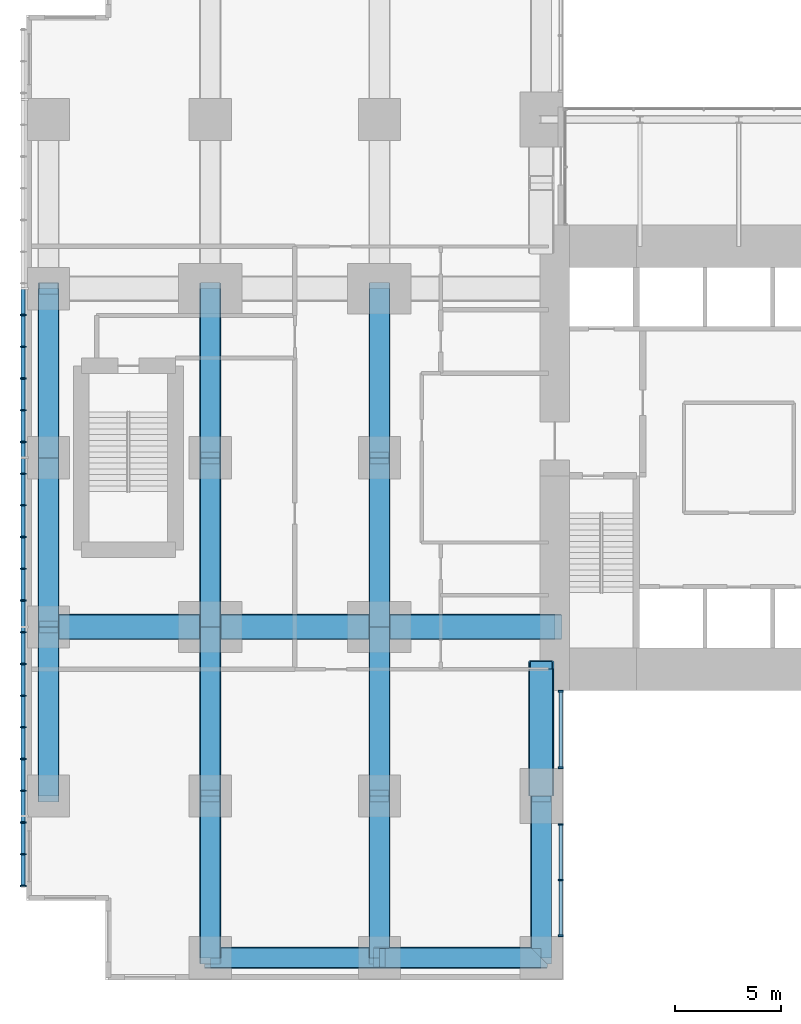
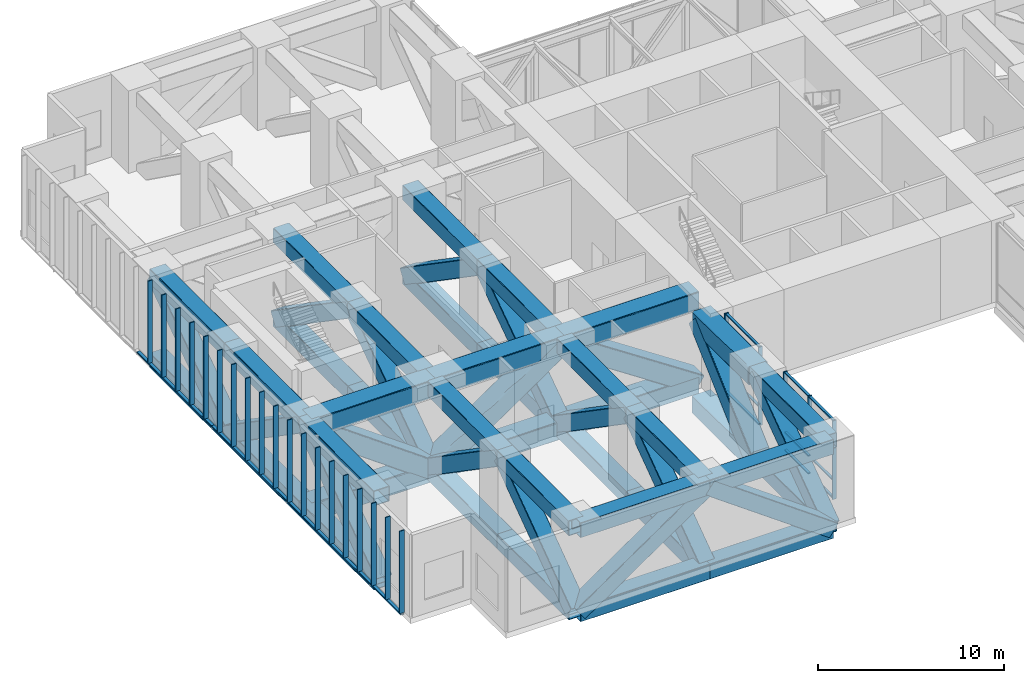
# One storey, part 2 of 17: 90 members, 2 elements without a shape of their own.
"""IFC4 building model written with IfcOpenShell, lengths in metres."""

from ifc_helpers import new_model, si_unit, direction, frame, origin, origin_2d, place, context, subcontext, project, spatial, rectangle, hollow_rectangle, extrude, material, layer, layer_set, material_profile, profile_set, type_object, element, aggregate, save


model = new_model("IFC4")

# Units and contexts
model_context = context("Model", 3, precision=1e-05, world=origin(), true_north=direction((0.0, 1.0)))
body_context = subcontext(model_context, "Body", "Model", "MODEL_VIEW")
ifc_project = project(units=[si_unit("LENGTHUNIT", "METRE"), si_unit("AREAUNIT", "SQUARE_METRE"), si_unit("VOLUMEUNIT", "CUBIC_METRE"), si_unit("PLANEANGLEUNIT", "RADIAN"), si_unit("MASSUNIT", "GRAM", prefix="KILO")], contexts=[model_context])

# Site, building, storey
site_placement = place(None, origin())
site = spatial("IfcSite", under=ifc_project, at=site_placement, CompositionType="ELEMENT")
building_placement = place(site_placement, origin())
building = spatial("IfcBuilding", under=site, at=building_placement, Name="Cleftline Residences", CompositionType="ELEMENT")
storey_placement = place(building_placement, frame((0.0, 0.0, 90.800048828125)))
storey = spatial("IfcBuildingStorey", under=building, at=storey_placement, Name="L23", CompositionType="ELEMENT", Elevation=90.800048828125)

# Members
ifc_material_1 = material(Name="Steel S355, hot-dip galvanised", Category="steel")
ifc_material_profile_1 = material_profile(ifc_material_1, hollow_rectangle(XDim=0.10009765625, YDim=0.199951171875, WallThickness=0.008056640625, InnerFilletRadius=0.008056640625, OuterFilletRadius=0.011962890625, at=origin_2d()))
ifc_profile_set_1 = profile_set([ifc_material_profile_1], Name="Steel S355, hot-dip galvanised")
member_type_1 = type_object("IfcMemberType", Name="BAGUETTE CARRIER RHS 200X100X8", PredefinedType="USERDEFINED", material=ifc_profile_set_1)
for number, where, z_axis, x_axis, name in (
    (1, (-0.85009765625, 32.0, -0.050048828125), (0.0, -1.0, 0.0), (0.0, 0.0, 1.0), "Baguette carrier"),
    (2, (-0.85009765625, 24.0, -0.050048828125), (0.0, -1.0, 0.0), (0.0, 0.0, 1.0), "Baguette carrier"),
):
    element("IfcMember", number, at=place(storey_placement, frame(where, z_axis=z_axis, x_axis=x_axis)), inside=storey, type_object=member_type_1, Name=name, ObjectType="BAGUETTE CARRIER", PredefinedType="USERDEFINED", context=body_context, shape_type="SweptSolid", body=[
        extrude(hollow_rectangle(XDim=0.10009765625, YDim=0.199951171875, WallThickness=0.008056640625, InnerFilletRadius=0.008056640625, OuterFilletRadius=0.011962890625, at=origin_2d()), origin(), (0.0, 0.0, 1.0), 8.0),
    ])
member_1_placement = place(storey_placement, frame((-0.85009765625, 16.0, -0.050048828125), z_axis=(0.0, -1.0, 0.0), x_axis=(0.0, 0.0, 1.0)))
element("IfcMember", 3, at=member_1_placement, inside=storey, type_object=member_type_1, Name="Baguette carrier", ObjectType="BAGUETTE CARRIER", PredefinedType="USERDEFINED", context=body_context, shape_type="SweptSolid", body=[
    extrude(hollow_rectangle(XDim=0.10009765625, YDim=0.199951171875, WallThickness=0.008056640625, InnerFilletRadius=0.008056640625, OuterFilletRadius=0.011962890625, at=origin_2d()), origin(), (0.0, 0.0, 1.0), 12.300048828125),
])
ifc_material_2 = material(Name="Steel S355", Category="steel")
ifc_material_profile_2 = material_profile(ifc_material_2, hollow_rectangle(XDim=1.0, YDim=1.0, WallThickness=0.0400390625, InnerFilletRadius=0.0400390625, OuterFilletRadius=0.06005859375, at=origin_2d()))
ifc_profile_set_2 = profile_set([ifc_material_profile_2], Name="Steel S355")
member_type_2 = type_object("IfcMemberType", Name="BRACE BOX 1000X1000X40", PredefinedType="BRACE", material=ifc_profile_set_2)
for number, where, z_axis, x_axis, name in (
    (4, (0.35009765625, 8.0, -0.85009765625), (0.0, 0.824041924199, 0.566528822887), (0.0, -0.566528822887, 0.824041924199), "Belt truss diagonal"),
    (5, (0.35009765625, 16.0, 4.64990234375), (0.0, 0.824041924199, -0.566528822887), (0.0, 0.566528822887, 0.824041924199), "Belt truss diagonal"),
    (6, (0.35009765625, 24.0, -0.85009765625), (0.0, 0.824041924199, 0.566528822887), (0.0, -0.566528822887, 0.824041924199), "Belt truss diagonal"),
):
    element("IfcMember", number, at=place(storey_placement, frame(where, z_axis=z_axis, x_axis=x_axis)), inside=storey, type_object=member_type_2, Name=name, PredefinedType="BRACE", context=body_context, shape_type="SweptSolid", body=[
        extrude(hollow_rectangle(XDim=1.0, YDim=1.0, WallThickness=0.0400390625, InnerFilletRadius=0.0400390625, OuterFilletRadius=0.06005859375, at=origin_2d()), origin(), (0.0, 0.0, 1.0), 9.708251953125),
    ])
member_2_placement = place(storey_placement, frame((8.0, 0.35009765625, -0.85009765625), z_axis=(0.0, 0.811933238445, 0.583750303048), x_axis=(0.0, -0.583750303048, 0.811933238445)))
element("IfcMember", 7, at=member_2_placement, inside=storey, type_object=member_type_2, Name="Belt truss diagonal", PredefinedType="BRACE", context=body_context, shape_type="SweptSolid", body=[
    extrude(hollow_rectangle(XDim=1.0, YDim=1.0, WallThickness=0.0400390625, InnerFilletRadius=0.0400390625, OuterFilletRadius=0.06005859375, at=origin_2d()), origin(), (0.0, 0.0, 1.0), 9.421875),
])
for number, where, z_axis, x_axis, name in (
    (8, (8.0, 8.0, 4.64990234375), (0.0, 0.824041924199, -0.566528822887), (0.0, 0.566528822887, 0.824041924199), "Belt truss diagonal"),
    (9, (8.0, 16.0, -0.85009765625), (0.0, 0.824041924199, 0.566528822887), (0.0, -0.566528822887, 0.824041924199), "Belt truss diagonal"),
    (10, (8.0, 24.0, 4.64990234375), (0.0, 0.824041924199, -0.566528822887), (0.0, 0.566528822887, 0.824041924199), "Belt truss diagonal"),
):
    element("IfcMember", number, at=place(storey_placement, frame(where, z_axis=z_axis, x_axis=x_axis)), inside=storey, type_object=member_type_2, Name=name, PredefinedType="BRACE", context=body_context, shape_type="SweptSolid", body=[
        extrude(hollow_rectangle(XDim=1.0, YDim=1.0, WallThickness=0.0400390625, InnerFilletRadius=0.0400390625, OuterFilletRadius=0.06005859375, at=origin_2d()), origin(), (0.0, 0.0, 1.0), 9.708251953125),
    ])
member_3_placement = place(storey_placement, frame((16.0, 0.35009765625, -0.85009765625), z_axis=(0.0, 0.811933238445, 0.583750303048), x_axis=(0.0, -0.583750303048, 0.811933238445)))
element("IfcMember", 11, at=member_3_placement, inside=storey, type_object=member_type_2, Name="Belt truss diagonal", PredefinedType="BRACE", context=body_context, shape_type="SweptSolid", body=[
    extrude(hollow_rectangle(XDim=1.0, YDim=1.0, WallThickness=0.0400390625, InnerFilletRadius=0.0400390625, OuterFilletRadius=0.06005859375, at=origin_2d()), origin(), (0.0, 0.0, 1.0), 9.421875),
])
for number, where, z_axis, x_axis, name in (
    (12, (16.0, 8.0, 4.64990234375), (0.0, 0.824041924199, -0.566528822887), (0.0, 0.566528822887, 0.824041924199), "Belt truss diagonal"),
    (13, (16.0, 16.0, -0.85009765625), (0.0, 0.824041924199, 0.566528822887), (0.0, -0.566528822887, 0.824041924199), "Belt truss diagonal"),
    (14, (16.0, 24.0, 4.64990234375), (0.0, 0.824041924199, -0.566528822887), (0.0, 0.566528822887, 0.824041924199), "Belt truss diagonal"),
):
    element("IfcMember", number, at=place(storey_placement, frame(where, z_axis=z_axis, x_axis=x_axis)), inside=storey, type_object=member_type_2, Name=name, PredefinedType="BRACE", context=body_context, shape_type="SweptSolid", body=[
        extrude(hollow_rectangle(XDim=1.0, YDim=1.0, WallThickness=0.0400390625, InnerFilletRadius=0.0400390625, OuterFilletRadius=0.06005859375, at=origin_2d()), origin(), (0.0, 0.0, 1.0), 9.708251953125),
    ])
member_4_placement = place(storey_placement, frame((23.64990234375, 0.35009765625, -0.85009765625), z_axis=(0.0, 0.811933238445, 0.583750303048), x_axis=(0.0, -0.583750303048, 0.811933238445)))
element("IfcMember", 15, at=member_4_placement, inside=storey, type_object=member_type_2, Name="Belt truss diagonal", PredefinedType="BRACE", context=body_context, shape_type="SweptSolid", body=[
    extrude(hollow_rectangle(XDim=1.0, YDim=1.0, WallThickness=0.0400390625, InnerFilletRadius=0.0400390625, OuterFilletRadius=0.06005859375, at=origin_2d()), origin(), (0.0, 0.0, 1.0), 9.421875),
])
member_5_placement = place(storey_placement, frame((8.0, 0.35009765625, -0.85009765625), z_axis=(0.824041924199, 0.0, 0.566528822887), x_axis=(-0.566528822887, 0.0, 0.824041924199)))
element("IfcMember", 16, at=member_5_placement, inside=storey, type_object=member_type_2, Name="Belt truss diagonal", PredefinedType="BRACE", context=body_context, shape_type="SweptSolid", body=[
    extrude(hollow_rectangle(XDim=1.0, YDim=1.0, WallThickness=0.0400390625, InnerFilletRadius=0.0400390625, OuterFilletRadius=0.06005859375, at=origin_2d()), origin(), (0.0, 0.0, 1.0), 9.708251953125),
])
member_6_placement = place(storey_placement, frame((16.0, 0.35009765625, 4.64990234375), z_axis=(0.811933238445, 0.0, -0.583750303048), x_axis=(0.583750303048, 0.0, 0.811933238445)))
element("IfcMember", 17, at=member_6_placement, inside=storey, type_object=member_type_2, Name="Belt truss diagonal", PredefinedType="BRACE", context=body_context, shape_type="SweptSolid", body=[
    extrude(hollow_rectangle(XDim=1.0, YDim=1.0, WallThickness=0.0400390625, InnerFilletRadius=0.0400390625, OuterFilletRadius=0.06005859375, at=origin_2d()), origin(), (0.0, 0.0, 1.0), 9.421875),
])
ifc_material_3 = material(Name="Steel S355", Category="steel")
ifc_material_profile_3 = material_profile(ifc_material_3, hollow_rectangle(XDim=1.199951171875, YDim=1.199951171875, WallThickness=0.06005859375, InnerFilletRadius=0.06005859375, OuterFilletRadius=0.090087890625, at=origin_2d()))
ifc_profile_set_3 = profile_set([ifc_material_profile_3], Name="Steel S355")
member_type_3 = type_object("IfcMemberType", Name="BRACE BOX 1200X1200X60", PredefinedType="BRACE", material=ifc_profile_set_3)
member_7_placement = place(storey_placement, frame((24.300048828125, 16.0, -0.949951171875), z_axis=(-0.833593682581, 0.0, 0.552378106338), x_axis=(0.552378106338, 0.0, 0.833593682581)))
element("IfcMember", 18, at=member_7_placement, inside=storey, type_object=member_type_3, Name="Outrigger truss diagonal", PredefinedType="BRACE", context=body_context, shape_type="SweptSolid", body=[
    extrude(hollow_rectangle(XDim=1.199951171875, YDim=1.199951171875, WallThickness=0.06005859375, InnerFilletRadius=0.06005859375, OuterFilletRadius=0.090087890625, at=origin_2d()), origin(), (0.0, 0.0, 1.0), 9.95703125),
])
member_8_placement = place(storey_placement, frame((16.0, 16.0, 4.550048828125), z_axis=(-0.824041924199, 0.0, -0.566528822887), x_axis=(-0.566528822887, 0.0, 0.824041924199)))
element("IfcMember", 19, at=member_8_placement, inside=storey, type_object=member_type_3, Name="Outrigger truss diagonal", PredefinedType="BRACE", context=body_context, shape_type="SweptSolid", body=[
    extrude(hollow_rectangle(XDim=1.199951171875, YDim=1.199951171875, WallThickness=0.06005859375, InnerFilletRadius=0.06005859375, OuterFilletRadius=0.090087890625, at=origin_2d()), origin(), (0.0, 0.0, 1.0), 9.708251953125),
])
member_9_placement = place(storey_placement, frame((8.0, 16.0, -0.949951171875), z_axis=(-0.811933238445, 0.0, 0.583750303048), x_axis=(0.583750303048, 0.0, 0.811933238445)))
element("IfcMember", 20, at=member_9_placement, inside=storey, type_object=member_type_3, Name="Outrigger truss diagonal", PredefinedType="BRACE", context=body_context, shape_type="SweptSolid", body=[
    extrude(hollow_rectangle(XDim=1.199951171875, YDim=1.199951171875, WallThickness=0.06005859375, InnerFilletRadius=0.06005859375, OuterFilletRadius=0.090087890625, at=origin_2d()), origin(), (0.0, 0.0, 1.0), 9.421875),
])
member_10_placement = place(storey_placement, frame((23.64990234375, 8.0, -0.949951171875), z_axis=(0.0, 0.737154140201, 0.675724628517), x_axis=(0.0, -0.675724628517, 0.737154140201)))
element("IfcMember", 21, at=member_10_placement, inside=storey, type_object=member_type_3, Name="Outrigger truss diagonal", PredefinedType="BRACE", context=body_context, shape_type="SweptSolid", body=[
    extrude(hollow_rectangle(XDim=1.199951171875, YDim=1.199951171875, WallThickness=0.06005859375, InnerFilletRadius=0.06005859375, OuterFilletRadius=0.090087890625, at=origin_2d()), origin(), (0.0, 0.0, 1.0), 8.139404296875),
])
ifc_material_4 = material(Name="Steel S355", Category="steel")
ifc_material_profile_4 = material_profile(ifc_material_4, hollow_rectangle(XDim=1.0, YDim=1.0, WallThickness=0.0400390625, InnerFilletRadius=0.0400390625, OuterFilletRadius=0.06005859375, at=origin_2d()))
ifc_profile_set_4 = profile_set([ifc_material_profile_4], Name="Steel S355")
member_type_4 = type_object("IfcMemberType", Name="CHORD BOX 1000X1000X40", PredefinedType="CHORD", material=ifc_profile_set_4)
for number, where, z_axis, x_axis, name in (
    (22, (0.35009765625, 8.0, -0.85009765625), (0.0, 1.0, 0.0), (-1.0, 0.0, 0.0), "Belt truss bottom chord"),
    (23, (0.35009765625, 8.0, 4.64990234375), (0.0, 1.0, 0.0), (-1.0, 0.0, 0.0), "Belt truss top chord"),
    (24, (0.35009765625, 16.0, -0.85009765625), (0.0, 1.0, 0.0), (-1.0, 0.0, 0.0), "Belt truss bottom chord"),
    (25, (0.35009765625, 16.0, 4.64990234375), (0.0, 1.0, 0.0), (-1.0, 0.0, 0.0), "Belt truss top chord"),
    (26, (0.35009765625, 24.0, -0.85009765625), (0.0, 1.0, 0.0), (-1.0, 0.0, 0.0), "Belt truss bottom chord"),
    (27, (0.35009765625, 24.0, 4.64990234375), (0.0, 1.0, 0.0), (-1.0, 0.0, 0.0), "Belt truss top chord"),
):
    element("IfcMember", number, at=place(storey_placement, frame(where, z_axis=z_axis, x_axis=x_axis)), inside=storey, type_object=member_type_4, Name=name, PredefinedType="CHORD", context=body_context, shape_type="SweptSolid", body=[
        extrude(hollow_rectangle(XDim=1.0, YDim=1.0, WallThickness=0.0400390625, InnerFilletRadius=0.0400390625, OuterFilletRadius=0.06005859375, at=origin_2d()), origin(), (0.0, 0.0, 1.0), 8.0),
    ])
for number, where, z_axis, x_axis, name in (
    (28, (8.0, 0.35009765625, -0.85009765625), (0.0, 1.0, 0.0), (-1.0, 0.0, 0.0), "Belt truss bottom chord"),
    (29, (8.0, 0.35009765625, 4.64990234375), (0.0, 1.0, 0.0), (-1.0, 0.0, 0.0), "Belt truss top chord"),
):
    element("IfcMember", number, at=place(storey_placement, frame(where, z_axis=z_axis, x_axis=x_axis)), inside=storey, type_object=member_type_4, Name=name, PredefinedType="CHORD", context=body_context, shape_type="SweptSolid", body=[
        extrude(hollow_rectangle(XDim=1.0, YDim=1.0, WallThickness=0.0400390625, InnerFilletRadius=0.0400390625, OuterFilletRadius=0.06005859375, at=origin_2d()), origin(), (0.0, 0.0, 1.0), 7.64990234375),
    ])
for number, where, z_axis, x_axis, name in (
    (30, (8.0, 8.0, -0.85009765625), (0.0, 1.0, 0.0), (-1.0, 0.0, 0.0), "Belt truss bottom chord"),
    (31, (8.0, 8.0, 4.64990234375), (0.0, 1.0, 0.0), (-1.0, 0.0, 0.0), "Belt truss top chord"),
    (32, (8.0, 16.0, -0.85009765625), (0.0, 1.0, 0.0), (-1.0, 0.0, 0.0), "Belt truss bottom chord"),
    (33, (8.0, 16.0, 4.64990234375), (0.0, 1.0, 0.0), (-1.0, 0.0, 0.0), "Belt truss top chord"),
    (34, (8.0, 24.0, -0.85009765625), (0.0, 1.0, 0.0), (-1.0, 0.0, 0.0), "Belt truss bottom chord"),
    (35, (8.0, 24.0, 4.64990234375), (0.0, 1.0, 0.0), (-1.0, 0.0, 0.0), "Belt truss top chord"),
):
    element("IfcMember", number, at=place(storey_placement, frame(where, z_axis=z_axis, x_axis=x_axis)), inside=storey, type_object=member_type_4, Name=name, PredefinedType="CHORD", context=body_context, shape_type="SweptSolid", body=[
        extrude(hollow_rectangle(XDim=1.0, YDim=1.0, WallThickness=0.0400390625, InnerFilletRadius=0.0400390625, OuterFilletRadius=0.06005859375, at=origin_2d()), origin(), (0.0, 0.0, 1.0), 8.0),
    ])
for number, where, z_axis, x_axis, name in (
    (36, (16.0, 0.35009765625, -0.85009765625), (0.0, 1.0, 0.0), (-1.0, 0.0, 0.0), "Belt truss bottom chord"),
    (37, (16.0, 0.35009765625, 4.64990234375), (0.0, 1.0, 0.0), (-1.0, 0.0, 0.0), "Belt truss top chord"),
):
    element("IfcMember", number, at=place(storey_placement, frame(where, z_axis=z_axis, x_axis=x_axis)), inside=storey, type_object=member_type_4, Name=name, PredefinedType="CHORD", context=body_context, shape_type="SweptSolid", body=[
        extrude(hollow_rectangle(XDim=1.0, YDim=1.0, WallThickness=0.0400390625, InnerFilletRadius=0.0400390625, OuterFilletRadius=0.06005859375, at=origin_2d()), origin(), (0.0, 0.0, 1.0), 7.64990234375),
    ])
for number, where, z_axis, x_axis, name in (
    (38, (16.0, 8.0, -0.85009765625), (0.0, 1.0, 0.0), (-1.0, 0.0, 0.0), "Belt truss bottom chord"),
    (39, (16.0, 8.0, 4.64990234375), (0.0, 1.0, 0.0), (-1.0, 0.0, 0.0), "Belt truss top chord"),
    (40, (16.0, 16.0, -0.85009765625), (0.0, 1.0, 0.0), (-1.0, 0.0, 0.0), "Belt truss bottom chord"),
    (41, (16.0, 16.0, 4.64990234375), (0.0, 1.0, 0.0), (-1.0, 0.0, 0.0), "Belt truss top chord"),
    (42, (16.0, 24.0, -0.85009765625), (0.0, 1.0, 0.0), (-1.0, 0.0, 0.0), "Belt truss bottom chord"),
    (43, (16.0, 24.0, 4.64990234375), (0.0, 1.0, 0.0), (-1.0, 0.0, 0.0), "Belt truss top chord"),
):
    element("IfcMember", number, at=place(storey_placement, frame(where, z_axis=z_axis, x_axis=x_axis)), inside=storey, type_object=member_type_4, Name=name, PredefinedType="CHORD", context=body_context, shape_type="SweptSolid", body=[
        extrude(hollow_rectangle(XDim=1.0, YDim=1.0, WallThickness=0.0400390625, InnerFilletRadius=0.0400390625, OuterFilletRadius=0.06005859375, at=origin_2d()), origin(), (0.0, 0.0, 1.0), 8.0),
    ])
for number, where, z_axis, x_axis, name in (
    (44, (23.64990234375, 0.35009765625, -0.85009765625), (0.0, 1.0, 0.0), (-1.0, 0.0, 0.0), "Belt truss bottom chord"),
    (45, (23.64990234375, 0.35009765625, 4.64990234375), (0.0, 1.0, 0.0), (-1.0, 0.0, 0.0), "Belt truss top chord"),
):
    element("IfcMember", number, at=place(storey_placement, frame(where, z_axis=z_axis, x_axis=x_axis)), inside=storey, type_object=member_type_4, Name=name, PredefinedType="CHORD", context=body_context, shape_type="SweptSolid", body=[
        extrude(hollow_rectangle(XDim=1.0, YDim=1.0, WallThickness=0.0400390625, InnerFilletRadius=0.0400390625, OuterFilletRadius=0.06005859375, at=origin_2d()), origin(), (0.0, 0.0, 1.0), 7.64990234375),
    ])
for number, where, z_axis, x_axis, name in (
    (46, (8.0, 0.35009765625, -0.85009765625), (1.0, 0.0, 0.0), (0.0, 1.0, 0.0), "Belt truss bottom chord"),
    (47, (8.0, 0.35009765625, 4.64990234375), (1.0, 0.0, 0.0), (0.0, 1.0, 0.0), "Belt truss top chord"),
):
    element("IfcMember", number, at=place(storey_placement, frame(where, z_axis=z_axis, x_axis=x_axis)), inside=storey, type_object=member_type_4, Name=name, PredefinedType="CHORD", context=body_context, shape_type="SweptSolid", body=[
        extrude(hollow_rectangle(XDim=1.0, YDim=1.0, WallThickness=0.0400390625, InnerFilletRadius=0.0400390625, OuterFilletRadius=0.06005859375, at=origin_2d()), origin(), (0.0, 0.0, 1.0), 8.0),
    ])
for number, where, z_axis, x_axis, name in (
    (48, (16.0, 0.35009765625, -0.85009765625), (1.0, 0.0, 0.0), (0.0, 1.0, 0.0), "Belt truss bottom chord"),
    (49, (16.0, 0.35009765625, 4.64990234375), (1.0, 0.0, 0.0), (0.0, 1.0, 0.0), "Belt truss top chord"),
):
    element("IfcMember", number, at=place(storey_placement, frame(where, z_axis=z_axis, x_axis=x_axis)), inside=storey, type_object=member_type_4, Name=name, PredefinedType="CHORD", context=body_context, shape_type="SweptSolid", body=[
        extrude(hollow_rectangle(XDim=1.0, YDim=1.0, WallThickness=0.0400390625, InnerFilletRadius=0.0400390625, OuterFilletRadius=0.06005859375, at=origin_2d()), origin(), (0.0, 0.0, 1.0), 7.64990234375),
    ])
ifc_material_5 = material(Name="Steel S355", Category="steel")
ifc_material_profile_5 = material_profile(ifc_material_5, hollow_rectangle(XDim=1.199951171875, YDim=1.199951171875, WallThickness=0.06005859375, InnerFilletRadius=0.06005859375, OuterFilletRadius=0.090087890625, at=origin_2d()))
ifc_profile_set_5 = profile_set([ifc_material_profile_5], Name="Steel S355")
member_type_5 = type_object("IfcMemberType", Name="CHORD BOX 1200X1200X60", PredefinedType="CHORD", material=ifc_profile_set_5)
for number, where, z_axis, x_axis, name in (
    (50, (24.300048828125, 16.0, -0.949951171875), (-1.0, 0.0, 0.0), (0.0, -1.0, 0.0), "Outrigger truss bottom chord"),
    (51, (24.300048828125, 16.0, 4.550048828125), (-1.0, 0.0, 0.0), (0.0, -1.0, 0.0), "Outrigger truss top chord"),
):
    element("IfcMember", number, at=place(storey_placement, frame(where, z_axis=z_axis, x_axis=x_axis)), inside=storey, type_object=member_type_5, Name=name, PredefinedType="CHORD", context=body_context, shape_type="SweptSolid", body=[
        extrude(hollow_rectangle(XDim=1.199951171875, YDim=1.199951171875, WallThickness=0.06005859375, InnerFilletRadius=0.06005859375, OuterFilletRadius=0.090087890625, at=origin_2d()), origin(), (0.0, 0.0, 1.0), 8.300048828125),
    ])
for number, where, z_axis, x_axis, name in (
    (52, (16.0, 16.0, -0.949951171875), (-1.0, 0.0, 0.0), (0.0, -1.0, 0.0), "Outrigger truss bottom chord"),
    (53, (16.0, 16.0, 4.550048828125), (-1.0, 0.0, 0.0), (0.0, -1.0, 0.0), "Outrigger truss top chord"),
):
    element("IfcMember", number, at=place(storey_placement, frame(where, z_axis=z_axis, x_axis=x_axis)), inside=storey, type_object=member_type_5, Name=name, PredefinedType="CHORD", context=body_context, shape_type="SweptSolid", body=[
        extrude(hollow_rectangle(XDim=1.199951171875, YDim=1.199951171875, WallThickness=0.06005859375, InnerFilletRadius=0.06005859375, OuterFilletRadius=0.090087890625, at=origin_2d()), origin(), (0.0, 0.0, 1.0), 8.0),
    ])
for number, where, z_axis, x_axis, name in (
    (54, (8.0, 16.0, -0.949951171875), (-1.0, 0.0, 0.0), (0.0, -1.0, 0.0), "Outrigger truss bottom chord"),
    (55, (8.0, 16.0, 4.550048828125), (-1.0, 0.0, 0.0), (0.0, -1.0, 0.0), "Outrigger truss top chord"),
):
    element("IfcMember", number, at=place(storey_placement, frame(where, z_axis=z_axis, x_axis=x_axis)), inside=storey, type_object=member_type_5, Name=name, PredefinedType="CHORD", context=body_context, shape_type="SweptSolid", body=[
        extrude(hollow_rectangle(XDim=1.199951171875, YDim=1.199951171875, WallThickness=0.06005859375, InnerFilletRadius=0.06005859375, OuterFilletRadius=0.090087890625, at=origin_2d()), origin(), (0.0, 0.0, 1.0), 7.64990234375),
    ])
for number, where, z_axis, x_axis, name in (
    (56, (23.64990234375, 8.0, -0.949951171875), (0.0, 1.0, 0.0), (-1.0, 0.0, 0.0), "Outrigger truss bottom chord"),
    (57, (23.64990234375, 8.0, 4.550048828125), (0.0, 1.0, 0.0), (-1.0, 0.0, 0.0), "Outrigger truss top chord"),
):
    element("IfcMember", number, at=place(storey_placement, frame(where, z_axis=z_axis, x_axis=x_axis)), inside=storey, type_object=member_type_5, Name=name, PredefinedType="CHORD", context=body_context, shape_type="SweptSolid", body=[
        extrude(hollow_rectangle(XDim=1.199951171875, YDim=1.199951171875, WallThickness=0.06005859375, InnerFilletRadius=0.06005859375, OuterFilletRadius=0.090087890625, at=origin_2d()), origin(), (0.0, 0.0, 1.0), 6.0),
    ])

# Curtain wall, members
ifc_material_6 = material(Name="Aluminium framed louvre screen", Category="aluminium")
ifc_layer = layer(ifc_material_6, 0.25)
ifc_layer_set = layer_set([ifc_layer], Name="CW6 REFUGE LOUVRE SCREEN")
curtain_wall_type = type_object("IfcCurtainWallType", Name="CW6 REFUGE LOUVRE SCREEN", PredefinedType="NOTDEFINED", material=ifc_layer_set)
curtain_wall_1_placement = place(storey_placement, origin())
curtain_wall_1 = element("IfcCurtainWall", 58, at=curtain_wall_1_placement, inside=storey, type_object=curtain_wall_type, Name="Louvre screen CW6", PredefinedType="NOTDEFINED")
ifc_material_7 = material(Name="Aluminium louvre mullion", Category="aluminium")
ifc_material_profile_6 = material_profile(ifc_material_7, rectangle(XDim=0.25, YDim=0.080078125, at=origin_2d()))
ifc_profile_set_6 = profile_set([ifc_material_profile_6], Name="Aluminium louvre mullion")
member_type_6 = type_object("IfcMemberType", Name="CW6 LOUVRE MULLION", PredefinedType="MULLION", material=ifc_profile_set_6)
member_11_placement = place(storey_placement, frame((24.574951171875, 1.389892578125, 0.0), z_axis=(0.0, 0.0, 1.0), x_axis=(-1.0, 0.0, 0.0)))
member_11 = element("IfcMember", 59, at=member_11_placement, type_object=member_type_6, Name="CW6 mullion 1", PredefinedType="MULLION", context=body_context, shape_type="SweptSolid", body=[
    extrude(rectangle(XDim=0.25, YDim=0.080078125, at=origin_2d()), origin(), (0.0, 0.0, 1.0), 5.14990234375),
])
member_12_placement = place(storey_placement, frame((24.574951171875, 4.02490234375, 0.0), z_axis=(0.0, 0.0, 1.0), x_axis=(-1.0, 0.0, 0.0)))
member_12 = element("IfcMember", 60, at=member_12_placement, type_object=member_type_6, Name="CW6 mullion 2", PredefinedType="MULLION", context=body_context, shape_type="SweptSolid", body=[
    extrude(rectangle(XDim=0.25, YDim=0.080078125, at=origin_2d()), origin(), (0.0, 0.0, 1.0), 5.14990234375),
])
member_13_placement = place(storey_placement, frame((24.574951171875, 6.659912109375, 0.0), z_axis=(0.0, 0.0, 1.0), x_axis=(-1.0, 0.0, 0.0)))
member_13 = element("IfcMember", 61, at=member_13_placement, type_object=member_type_6, Name="CW6 mullion 3", PredefinedType="MULLION", context=body_context, shape_type="SweptSolid", body=[
    extrude(rectangle(XDim=0.25, YDim=0.080078125, at=origin_2d()), origin(), (0.0, 0.0, 1.0), 5.14990234375),
])

curtain_wall_2_placement = place(storey_placement, origin())
curtain_wall_2 = element("IfcCurtainWall", 62, at=curtain_wall_2_placement, inside=storey, type_object=curtain_wall_type, Name="Louvre screen CW6", PredefinedType="NOTDEFINED")
member_14_placement = place(storey_placement, frame((24.574951171875, 9.340087890625, 0.0), z_axis=(0.0, 0.0, 1.0), x_axis=(-1.0, 0.0, 0.0)))
member_14 = element("IfcMember", 63, at=member_14_placement, type_object=member_type_6, Name="CW6 mullion 1", PredefinedType="MULLION", context=body_context, shape_type="SweptSolid", body=[
    extrude(rectangle(XDim=0.25, YDim=0.080078125, at=origin_2d()), origin(), (0.0, 0.0, 1.0), 5.14990234375),
])
member_15_placement = place(storey_placement, frame((24.574951171875, 12.9599609375, 0.0), z_axis=(0.0, 0.0, 1.0), x_axis=(-1.0, 0.0, 0.0)))
member_15 = element("IfcMember", 64, at=member_15_placement, type_object=member_type_6, Name="CW6 mullion 2", PredefinedType="MULLION", context=body_context, shape_type="SweptSolid", body=[
    extrude(rectangle(XDim=0.25, YDim=0.080078125, at=origin_2d()), origin(), (0.0, 0.0, 1.0), 5.14990234375),
])

# Member
ifc_material_8 = material(Name="Aluminium louvre transom", Category="aluminium")
ifc_material_profile_7 = material_profile(ifc_material_8, rectangle(XDim=0.14990234375, YDim=0.080078125, at=origin_2d()))
ifc_profile_set_7 = profile_set([ifc_material_profile_7], Name="Aluminium louvre transom")
member_type_7 = type_object("IfcMemberType", Name="CW6 LOUVRE TRANSOM", PredefinedType="USERDEFINED", material=ifc_profile_set_7)
member_16_placement = place(storey_placement, frame((24.574951171875, 1.429931640625, 0.0400390625), z_axis=(0.0, 1.0, 0.0), x_axis=(-1.0, 0.0, 0.0)))
member_16 = element("IfcMember", 65, at=member_16_placement, type_object=member_type_7, Name="CW6 transom 1.1", ObjectType="TRANSOM", PredefinedType="USERDEFINED", context=body_context, shape_type="SweptSolid", body=[
    extrude(rectangle(XDim=0.14990234375, YDim=0.080078125, at=origin_2d()), origin(), (0.0, 0.0, 1.0), 2.55517578125),
])

member_17_placement = place(storey_placement, frame((24.574951171875, 1.429931640625, 1.199951171875), z_axis=(0.0, 1.0, 0.0), x_axis=(-1.0, 0.0, 0.0)))
member_17 = element("IfcMember", 66, at=member_17_placement, type_object=member_type_7, Name="CW6 transom 1.2", ObjectType="TRANSOM", PredefinedType="USERDEFINED", context=body_context, shape_type="SweptSolid", body=[
    extrude(rectangle(XDim=0.14990234375, YDim=0.080078125, at=origin_2d()), origin(), (0.0, 0.0, 1.0), 2.55517578125),
])

member_18_placement = place(storey_placement, frame((24.574951171875, 1.429931640625, 5.10986328125), z_axis=(0.0, 1.0, 0.0), x_axis=(-1.0, 0.0, 0.0)))
member_18 = element("IfcMember", 67, at=member_18_placement, type_object=member_type_7, Name="CW6 transom 1.3", ObjectType="TRANSOM", PredefinedType="USERDEFINED", context=body_context, shape_type="SweptSolid", body=[
    extrude(rectangle(XDim=0.14990234375, YDim=0.080078125, at=origin_2d()), origin(), (0.0, 0.0, 1.0), 2.55517578125),
])

member_19_placement = place(storey_placement, frame((24.574951171875, 4.06494140625, 0.0400390625), z_axis=(0.0, 1.0, 0.0), x_axis=(-1.0, 0.0, 0.0)))
member_19 = element("IfcMember", 68, at=member_19_placement, type_object=member_type_7, Name="CW6 transom 2.1", ObjectType="TRANSOM", PredefinedType="USERDEFINED", context=body_context, shape_type="SweptSolid", body=[
    extrude(rectangle(XDim=0.14990234375, YDim=0.080078125, at=origin_2d()), origin(), (0.0, 0.0, 1.0), 2.55517578125),
])

member_20_placement = place(storey_placement, frame((24.574951171875, 4.06494140625, 1.199951171875), z_axis=(0.0, 1.0, 0.0), x_axis=(-1.0, 0.0, 0.0)))
member_20 = element("IfcMember", 69, at=member_20_placement, type_object=member_type_7, Name="CW6 transom 2.2", ObjectType="TRANSOM", PredefinedType="USERDEFINED", context=body_context, shape_type="SweptSolid", body=[
    extrude(rectangle(XDim=0.14990234375, YDim=0.080078125, at=origin_2d()), origin(), (0.0, 0.0, 1.0), 2.55517578125),
])

member_21_placement = place(storey_placement, frame((24.574951171875, 4.06494140625, 5.10986328125), z_axis=(0.0, 1.0, 0.0), x_axis=(-1.0, 0.0, 0.0)))
member_21 = element("IfcMember", 70, at=member_21_placement, type_object=member_type_7, Name="CW6 transom 2.3", ObjectType="TRANSOM", PredefinedType="USERDEFINED", context=body_context, shape_type="SweptSolid", body=[
    extrude(rectangle(XDim=0.14990234375, YDim=0.080078125, at=origin_2d()), origin(), (0.0, 0.0, 1.0), 2.55517578125),
])

aggregate(curtain_wall_1, [member_11, member_12, member_13, member_16, member_17, member_18, member_19, member_20, member_21])

member_22_placement = place(storey_placement, frame((24.574951171875, 9.3798828125, 0.0400390625), z_axis=(0.0, 1.0, 0.0), x_axis=(-1.0, 0.0, 0.0)))
member_22 = element("IfcMember", 71, at=member_22_placement, type_object=member_type_7, Name="CW6 transom 1.1", ObjectType="TRANSOM", PredefinedType="USERDEFINED", context=body_context, shape_type="SweptSolid", body=[
    extrude(rectangle(XDim=0.14990234375, YDim=0.080078125, at=origin_2d()), origin(), (0.0, 0.0, 1.0), 3.5400390625),
])

member_23_placement = place(storey_placement, frame((24.574951171875, 9.3798828125, 1.199951171875), z_axis=(0.0, 1.0, 0.0), x_axis=(-1.0, 0.0, 0.0)))
member_23 = element("IfcMember", 72, at=member_23_placement, type_object=member_type_7, Name="CW6 transom 1.2", ObjectType="TRANSOM", PredefinedType="USERDEFINED", context=body_context, shape_type="SweptSolid", body=[
    extrude(rectangle(XDim=0.14990234375, YDim=0.080078125, at=origin_2d()), origin(), (0.0, 0.0, 1.0), 3.5400390625),
])

member_24_placement = place(storey_placement, frame((24.574951171875, 9.3798828125, 5.10986328125), z_axis=(0.0, 1.0, 0.0), x_axis=(-1.0, 0.0, 0.0)))
member_24 = element("IfcMember", 73, at=member_24_placement, type_object=member_type_7, Name="CW6 transom 1.3", ObjectType="TRANSOM", PredefinedType="USERDEFINED", context=body_context, shape_type="SweptSolid", body=[
    extrude(rectangle(XDim=0.14990234375, YDim=0.080078125, at=origin_2d()), origin(), (0.0, 0.0, 1.0), 3.5400390625),
])

aggregate(curtain_wall_2, [member_14, member_15, member_22, member_23, member_24])

# Members
ifc_material_9 = material(Name="Extruded terracotta", Category="masonry")
ifc_material_profile_8 = material_profile(ifc_material_9, rectangle(XDim=0.06005859375, YDim=0.300048828125, at=origin_2d()))
ifc_profile_set_8 = profile_set([ifc_material_profile_8], Name="Extruded terracotta")
member_type_8 = type_object("IfcMemberType", Name="TERRACOTTA BAGUETTE 60X300", PredefinedType="USERDEFINED", material=ifc_profile_set_8)
for number, where, z_axis, x_axis, name in (
    (74, (-0.85009765625, 30.75, 0.0), (0.0, 0.0, 1.0), (0.0, 1.0, 0.0), "Terracotta baguette"),
    (75, (-0.85009765625, 29.25, 0.0), (0.0, 0.0, 1.0), (0.0, 1.0, 0.0), "Terracotta baguette"),
    (76, (-0.85009765625, 27.75, 0.0), (0.0, 0.0, 1.0), (0.0, 1.0, 0.0), "Terracotta baguette"),
    (77, (-0.85009765625, 26.25, 0.0), (0.0, 0.0, 1.0), (0.0, 1.0, 0.0), "Terracotta baguette"),
    (78, (-0.85009765625, 24.75, 0.0), (0.0, 0.0, 1.0), (0.0, 1.0, 0.0), "Terracotta baguette"),
    (79, (-0.85009765625, 23.25, 0.0), (0.0, 0.0, 1.0), (0.0, 1.0, 0.0), "Terracotta baguette"),
    (80, (-0.85009765625, 21.75, 0.0), (0.0, 0.0, 1.0), (0.0, 1.0, 0.0), "Terracotta baguette"),
    (81, (-0.85009765625, 20.25, 0.0), (0.0, 0.0, 1.0), (0.0, 1.0, 0.0), "Terracotta baguette"),
    (82, (-0.85009765625, 18.75, 0.0), (0.0, 0.0, 1.0), (0.0, 1.0, 0.0), "Terracotta baguette"),
    (83, (-0.85009765625, 17.25, 0.0), (0.0, 0.0, 1.0), (0.0, 1.0, 0.0), "Terracotta baguette"),
    (84, (-0.85009765625, 15.75, 0.0), (0.0, 0.0, 1.0), (0.0, 1.0, 0.0), "Terracotta baguette"),
    (85, (-0.85009765625, 14.25, 0.0), (0.0, 0.0, 1.0), (0.0, 1.0, 0.0), "Terracotta baguette"),
    (86, (-0.85009765625, 12.75, 0.0), (0.0, 0.0, 1.0), (0.0, 1.0, 0.0), "Terracotta baguette"),
    (87, (-0.85009765625, 11.25, 0.0), (0.0, 0.0, 1.0), (0.0, 1.0, 0.0), "Terracotta baguette"),
    (88, (-0.85009765625, 9.75, 0.0), (0.0, 0.0, 1.0), (0.0, 1.0, 0.0), "Terracotta baguette"),
    (89, (-0.85009765625, 8.25, 0.0), (0.0, 0.0, 1.0), (0.0, 1.0, 0.0), "Terracotta baguette"),
    (90, (-0.85009765625, 6.75, 0.0), (0.0, 0.0, 1.0), (0.0, 1.0, 0.0), "Terracotta baguette"),
    (91, (-0.85009765625, 5.25, 0.0), (0.0, 0.0, 1.0), (0.0, 1.0, 0.0), "Terracotta baguette"),
    (92, (-0.85009765625, 3.75, 0.0), (0.0, 0.0, 1.0), (0.0, 1.0, 0.0), "Terracotta baguette"),
):
    element("IfcMember", number, at=place(storey_placement, frame(where, z_axis=z_axis, x_axis=x_axis)), inside=storey, type_object=member_type_8, Name=name, ObjectType="BAGUETTE", PredefinedType="USERDEFINED", context=body_context, shape_type="SweptSolid", body=[
        extrude(rectangle(XDim=0.06005859375, YDim=0.300048828125, at=origin_2d()), origin(), (0.0, 0.0, 1.0), 5.39990234375),
    ])

save(model, "model.ifc")
